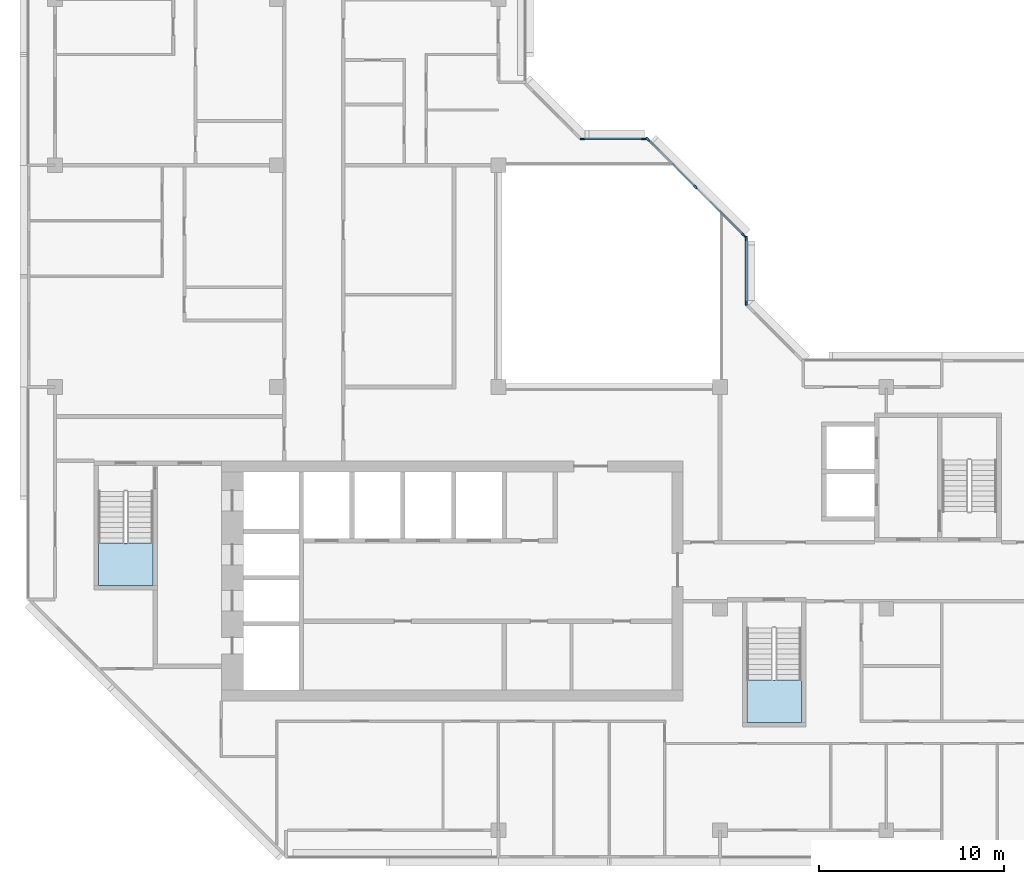
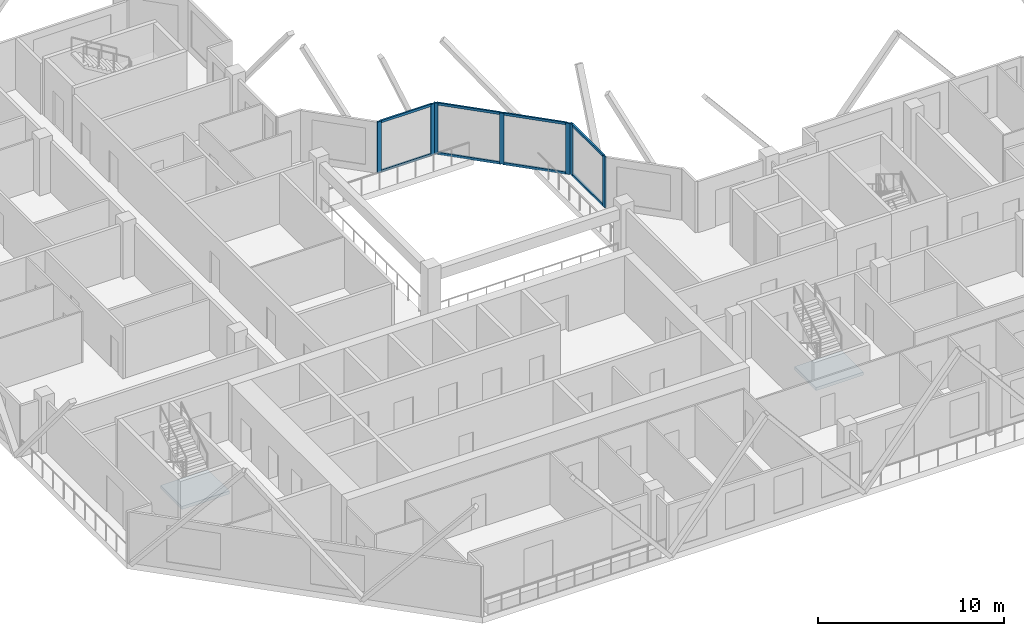
# One storey, part 2 of 13: 15 members, 2 slabs, 5 elements without a shape of their own.
"""IFC4 building model written with IfcOpenShell, lengths in metres."""

from ifc_helpers import new_model, si_unit, direction, frame, origin, origin_2d, place, context, subcontext, project, spatial, polyline, rectangle, outline, extrude, material, layer, layer_set, material_profile, profile_set, type_object, element, aggregate, save


model = new_model("IFC4")

# Units and contexts
model_context = context("Model", 3, precision=1e-05, world=origin(), true_north=direction((0.0, 1.0)))
body_context = subcontext(model_context, "Body", "Model", "MODEL_VIEW")
ifc_project = project(units=[si_unit("LENGTHUNIT", "METRE"), si_unit("AREAUNIT", "SQUARE_METRE"), si_unit("VOLUMEUNIT", "CUBIC_METRE"), si_unit("PLANEANGLEUNIT", "RADIAN"), si_unit("MASSUNIT", "GRAM", prefix="KILO")], contexts=[model_context])

# Site, building, storey
site_placement = place(None, origin())
site = spatial("IfcSite", under=ifc_project, at=site_placement, CompositionType="ELEMENT")
building_placement = place(site_placement, origin())
building = spatial("IfcBuilding", under=site, at=building_placement, Name="Chenar Terraces", CompositionType="ELEMENT")
storey_placement = place(building_placement, frame((0.0, 0.0, 280.89990234375)))
storey = spatial("IfcBuildingStorey", under=building, at=storey_placement, Name="L65", CompositionType="ELEMENT", Elevation=280.89990234375)

# Curtain wall, members
ifc_material_1 = material(Name="Aluminium framed glazing", Category="aluminium")
ifc_layer_1 = layer(ifc_material_1, 0.14990234375)
ifc_layer_set_1 = layer_set([ifc_layer_1], Name="Aluminium framed glazing")
curtain_wall_type = type_object("IfcCurtainWallType", Name="Atrium upper-zone curtain wall", PredefinedType="NOTDEFINED", material=ifc_layer_set_1)
placement_1 = place(storey_placement, origin())
curtain_wall_1 = element("IfcCurtainWall", 1, at=placement_1, inside=storey, type_object=curtain_wall_type, Name="Atrium upper-zone curtain wall", PredefinedType="NOTDEFINED")
ifc_material_2 = material(Name="Aluminium", Category="aluminium")
ifc_material_profile_1 = material_profile(ifc_material_2, rectangle(XDim=0.10009765625, YDim=0.239990234375, at=origin_2d()), Name="Atrium upper-zone glazing mullion 100 x 240")
ifc_profile_set_1 = profile_set([ifc_material_profile_1], Name="Aluminium")
member_type_1 = type_object("IfcMemberType", Name="Atrium upper-zone glazing mullion 100 x 240", PredefinedType="MULLION", material=ifc_profile_set_1)
member_1_placement = place(storey_placement, frame((37.425048828125, 28.550048828125, 0.0), z_axis=(0.0, 0.0, 1.0), x_axis=(-1.0, 0.0, 0.0)))
member_1 = element("IfcMember", 2, at=member_1_placement, type_object=member_type_1, Name="CW8-1 mullion 1", PredefinedType="MULLION", context=body_context, shape_type="SweptSolid", body=[
    extrude(rectangle(XDim=0.10009765625, YDim=0.239990234375, at=origin_2d()), origin(), (0.0, 0.0, 1.0), 3.35009765625),
])
member_2_placement = place(storey_placement, frame((37.425048828125, 32.050048828125, 0.0), z_axis=(0.0, 0.0, 1.0), x_axis=(-1.0, 0.0, 0.0)))
member_2 = element("IfcMember", 3, at=member_2_placement, type_object=member_type_1, Name="CW8-1 mullion 2", PredefinedType="MULLION", context=body_context, shape_type="SweptSolid", body=[
    extrude(rectangle(XDim=0.10009765625, YDim=0.239990234375, at=origin_2d()), origin(), (0.0, 0.0, 1.0), 3.35009765625),
])

curtain_wall_2 = element("IfcCurtainWall", 4, at=placement_1, inside=storey, type_object=curtain_wall_type, Name="Atrium upper-zone curtain wall", PredefinedType="NOTDEFINED")
member_3_placement = place(storey_placement, frame((37.270263671875, 32.2236328125, 0.0), z_axis=(0.0, 0.0, 1.0), x_axis=(-0.707106781187, -0.707106781187, 0.0)))
member_3 = element("IfcMember", 5, at=member_3_placement, type_object=member_type_1, Name="CW8-2 mullion 1", PredefinedType="MULLION", context=body_context, shape_type="SweptSolid", body=[
    extrude(rectangle(XDim=0.10009765625, YDim=0.239990234375, at=origin_2d()), origin(), (0.0, 0.0, 1.0), 3.35009765625),
])
member_4_placement = place(storey_placement, frame((34.67626953125, 34.817626953125, 0.0), z_axis=(0.0, 0.0, 1.0), x_axis=(-0.707106781187, -0.707106781187, 0.0)))
member_4 = element("IfcMember", 6, at=member_4_placement, type_object=member_type_1, Name="CW8-2 mullion 2", PredefinedType="MULLION", context=body_context, shape_type="SweptSolid", body=[
    extrude(rectangle(XDim=0.10009765625, YDim=0.239990234375, at=origin_2d()), origin(), (0.0, 0.0, 1.0), 3.35009765625),
])
member_5_placement = place(storey_placement, frame((32.082275390625, 37.41162109375, 0.0), z_axis=(0.0, 0.0, 1.0), x_axis=(-0.707106781187, -0.707106781187, 0.0)))
member_5 = element("IfcMember", 7, at=member_5_placement, type_object=member_type_1, Name="CW8-2 mullion 3", PredefinedType="MULLION", context=body_context, shape_type="SweptSolid", body=[
    extrude(rectangle(XDim=0.10009765625, YDim=0.239990234375, at=origin_2d()), origin(), (0.0, 0.0, 1.0), 3.35009765625),
])

curtain_wall_3 = element("IfcCurtainWall", 8, at=placement_1, inside=storey, type_object=curtain_wall_type, Name="Atrium upper-zone curtain wall", PredefinedType="NOTDEFINED")
member_6_placement = place(storey_placement, frame((31.85009765625, 37.425048828125, 0.0), z_axis=(0.0, 0.0, 1.0), x_axis=(0.0, -1.0, 0.0)))
member_6 = element("IfcMember", 9, at=member_6_placement, type_object=member_type_1, Name="CW8-3 mullion 1", PredefinedType="MULLION", context=body_context, shape_type="SweptSolid", body=[
    extrude(rectangle(XDim=0.10009765625, YDim=0.239990234375, at=origin_2d()), origin(), (0.0, 0.0, 1.0), 3.35009765625),
])
member_7_placement = place(storey_placement, frame((28.550048828125, 37.425048828125, 0.0), z_axis=(0.0, 0.0, 1.0), x_axis=(0.0, -1.0, 0.0)))
member_7 = element("IfcMember", 10, at=member_7_placement, type_object=member_type_1, Name="CW8-3 mullion 2", PredefinedType="MULLION", context=body_context, shape_type="SweptSolid", body=[
    extrude(rectangle(XDim=0.10009765625, YDim=0.239990234375, at=origin_2d()), origin(), (0.0, 0.0, 1.0), 3.35009765625),
])

# Member
ifc_material_3 = material(Name="Aluminium", Category="aluminium")
ifc_material_profile_2 = material_profile(ifc_material_3, rectangle(XDim=0.10009765625, YDim=0.159912109375, at=origin_2d()), Name="Atrium upper-zone glazing transom 100 x 160")
ifc_profile_set_2 = profile_set([ifc_material_profile_2], Name="Aluminium")
member_type_2 = type_object("IfcMemberType", Name="Atrium upper-zone glazing transom 100 x 160", PredefinedType="USERDEFINED", material=ifc_profile_set_2)
member_8_placement = place(storey_placement, frame((37.425048828125, 28.60009765625, 0.050048828125), z_axis=(0.0, 1.0, 0.0), x_axis=(-1.0, 0.0, 0.0)))
member_8 = element("IfcMember", 11, at=member_8_placement, type_object=member_type_2, Name="CW8-1 transom 1.1", ObjectType="TRANSOM", PredefinedType="USERDEFINED", context=body_context, shape_type="SweptSolid", body=[
    extrude(rectangle(XDim=0.10009765625, YDim=0.159912109375, at=origin_2d()), origin(), (0.0, 0.0, 1.0), 3.39990234375),
])

member_9_placement = place(storey_placement, frame((37.425048828125, 28.60009765625, 3.300048828125), z_axis=(0.0, 1.0, 0.0), x_axis=(-1.0, 0.0, 0.0)))
member_9 = element("IfcMember", 12, at=member_9_placement, type_object=member_type_2, Name="CW8-1 transom 1.2", ObjectType="TRANSOM", PredefinedType="USERDEFINED", context=body_context, shape_type="SweptSolid", body=[
    extrude(rectangle(XDim=0.10009765625, YDim=0.159912109375, at=origin_2d()), origin(), (0.0, 0.0, 1.0), 3.39990234375),
])

aggregate(curtain_wall_1, [member_1, member_2, member_8, member_9])

member_10_placement = place(storey_placement, frame((37.23486328125, 32.259033203125, 0.050048828125), z_axis=(-0.707106781187, 0.707106781187, 0.0), x_axis=(-0.707106781187, -0.707106781187, 0.0)))
member_10 = element("IfcMember", 13, at=member_10_placement, type_object=member_type_2, Name="CW8-2 transom 1.1", ObjectType="TRANSOM", PredefinedType="USERDEFINED", context=body_context, shape_type="SweptSolid", body=[
    extrude(rectangle(XDim=0.10009765625, YDim=0.159912109375, at=origin_2d()), origin(), (0.0, 0.0, 1.0), 3.568359375),
])

member_11_placement = place(storey_placement, frame((37.23486328125, 32.259033203125, 3.300048828125), z_axis=(-0.707106781187, 0.707106781187, 0.0), x_axis=(-0.707106781187, -0.707106781187, 0.0)))
member_11 = element("IfcMember", 14, at=member_11_placement, type_object=member_type_2, Name="CW8-2 transom 1.2", ObjectType="TRANSOM", PredefinedType="USERDEFINED", context=body_context, shape_type="SweptSolid", body=[
    extrude(rectangle(XDim=0.10009765625, YDim=0.159912109375, at=origin_2d()), origin(), (0.0, 0.0, 1.0), 3.568359375),
])

member_12_placement = place(storey_placement, frame((34.640869140625, 34.85302734375, 0.050048828125), z_axis=(-0.707106781187, 0.707106781187, 0.0), x_axis=(-0.707106781187, -0.707106781187, 0.0)))
member_12 = element("IfcMember", 15, at=member_12_placement, type_object=member_type_2, Name="CW8-2 transom 2.1", ObjectType="TRANSOM", PredefinedType="USERDEFINED", context=body_context, shape_type="SweptSolid", body=[
    extrude(rectangle(XDim=0.10009765625, YDim=0.159912109375, at=origin_2d()), origin(), (0.0, 0.0, 1.0), 3.568359375),
])

member_13_placement = place(storey_placement, frame((34.640869140625, 34.85302734375, 3.300048828125), z_axis=(-0.707106781187, 0.707106781187, 0.0), x_axis=(-0.707106781187, -0.707106781187, 0.0)))
member_13 = element("IfcMember", 16, at=member_13_placement, type_object=member_type_2, Name="CW8-2 transom 2.2", ObjectType="TRANSOM", PredefinedType="USERDEFINED", context=body_context, shape_type="SweptSolid", body=[
    extrude(rectangle(XDim=0.10009765625, YDim=0.159912109375, at=origin_2d()), origin(), (0.0, 0.0, 1.0), 3.568359375),
])

aggregate(curtain_wall_2, [member_3, member_4, member_5, member_10, member_11, member_12, member_13])

member_14_placement = place(storey_placement, frame((31.800048828125, 37.425048828125, 0.050048828125), z_axis=(-1.0, 0.0, 0.0), x_axis=(0.0, -1.0, 0.0)))
member_14 = element("IfcMember", 17, at=member_14_placement, type_object=member_type_2, Name="CW8-3 transom 1.1", ObjectType="TRANSOM", PredefinedType="USERDEFINED", context=body_context, shape_type="SweptSolid", body=[
    extrude(rectangle(XDim=0.10009765625, YDim=0.159912109375, at=origin_2d()), origin(), (0.0, 0.0, 1.0), 3.199951171875),
])

member_15_placement = place(storey_placement, frame((31.800048828125, 37.425048828125, 3.300048828125), z_axis=(-1.0, 0.0, 0.0), x_axis=(0.0, -1.0, 0.0)))
member_15 = element("IfcMember", 18, at=member_15_placement, type_object=member_type_2, Name="CW8-3 transom 1.2", ObjectType="TRANSOM", PredefinedType="USERDEFINED", context=body_context, shape_type="SweptSolid", body=[
    extrude(rectangle(XDim=0.10009765625, YDim=0.159912109375, at=origin_2d()), origin(), (0.0, 0.0, 1.0), 3.199951171875),
])

aggregate(curtain_wall_3, [member_6, member_7, member_14, member_15])

# Stair, slab
ifc_material_4 = material(Name="Reinforced concrete C40/50", Category="concrete")
stair_type = type_object("IfcStairType", Name="Core stair 1400 half-turn", PredefinedType="HALF_TURN_STAIR", material=ifc_material_4)
stair_1 = element("IfcStair", 19, at=placement_1, inside=storey, type_object=stair_type, Name="L65 Stair 1", PredefinedType="HALF_TURN_STAIR")
ifc_material_5 = material(Name="Reinforced concrete C40/50", Category="concrete")
ifc_layer_2 = layer(ifc_material_5, 0.199951171875)
ifc_layer_set_2 = layer_set([ifc_layer_2], Name="Reinforced concrete C40/50")
slab_type = type_object("IfcSlabType", Name="Core stair landing 200", PredefinedType="LANDING", material=ifc_layer_set_2)
placement_2 = place(storey_placement, frame((0.0, 0.0, 1.675048828125)))
slab_1 = element("IfcSlab", 20, at=placement_2, type_object=slab_type, Name="ST1 landing 1", PredefinedType="LANDING", context=body_context, shape_type="SweptSolid", body=[
    extrude(outline(polyline([(2.35009765625, 15.550048828125), (2.35009765625, 13.25), (5.300048828125, 13.25), (5.300048828125, 15.550048828125), (2.35009765625, 15.550048828125)])), origin(), (0.0, 0.0, 1.0), 0.199951171875),
])
aggregate(stair_1, [slab_1])

stair_2 = element("IfcStair", 21, at=placement_1, inside=storey, type_object=stair_type, Name="L65 Stair 2", PredefinedType="HALF_TURN_STAIR")
slab_2 = element("IfcSlab", 22, at=placement_2, type_object=slab_type, Name="ST2 landing 1", PredefinedType="LANDING", context=body_context, shape_type="SweptSolid", body=[
    extrude(outline(polyline([(37.449951171875, 8.14990234375), (37.449951171875, 5.85009765625), (40.39990234375, 5.85009765625), (40.39990234375, 8.14990234375), (37.449951171875, 8.14990234375)])), origin(), (0.0, 0.0, 1.0), 0.199951171875),
])
aggregate(stair_2, [slab_2])

save(model, "model.ifc")
